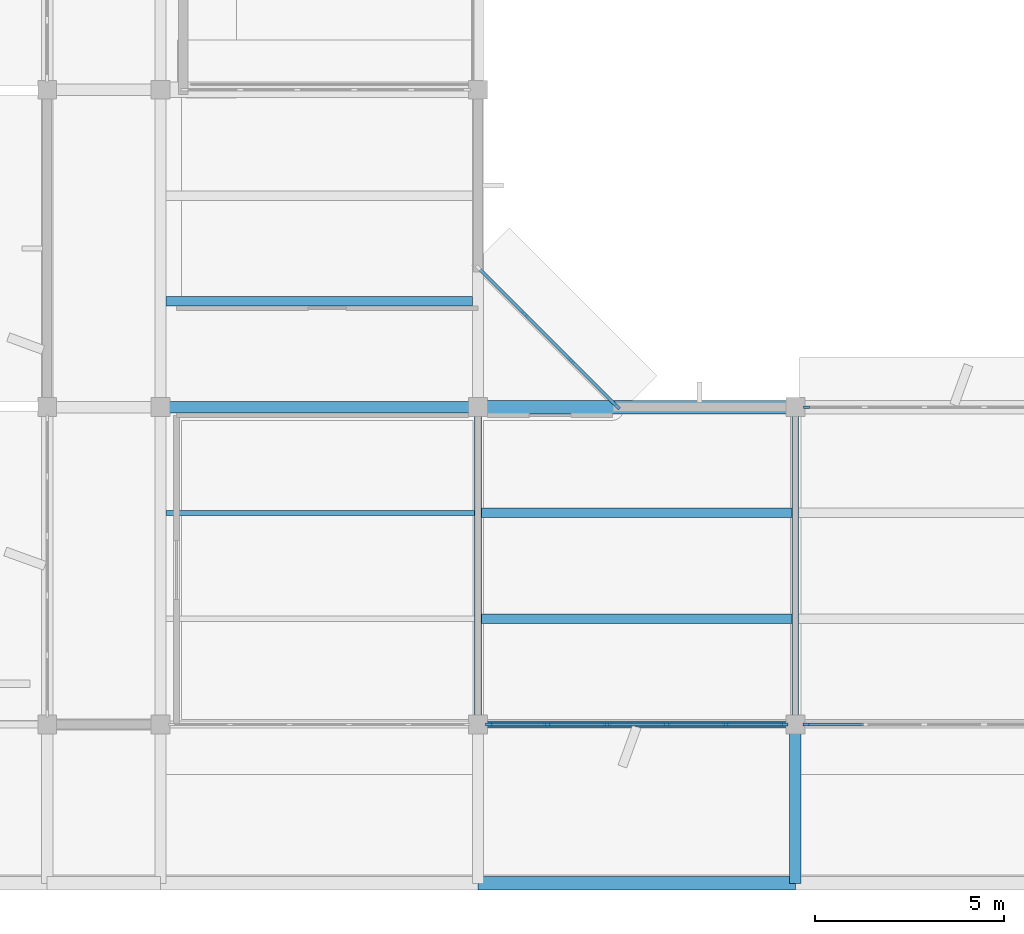
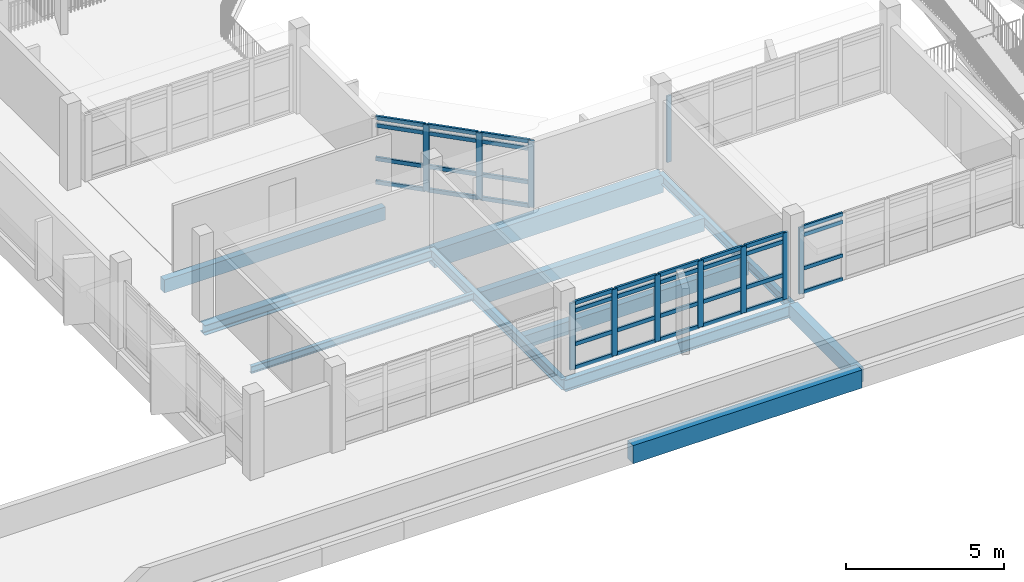
# One storey, part 16 of 92: 47 members, 11 beams, 4 elements without a shape of their own.
"""IFC4 building model written with IfcOpenShell, lengths in metres."""

from ifc_helpers import new_model, si_unit, direction, frame, origin, origin_2d, place, context, subcontext, project, spatial, rectangle, i_section, extrude, material, material_profile, profile_set, type_object, element, aggregate, save


model = new_model("IFC4")

# Units and contexts
model_context = context("Model", 3, precision=1e-05, world=origin(), true_north=direction((0.0, 1.0)))
body_context = subcontext(model_context, "Body", "Model", "MODEL_VIEW")
ifc_project = project(units=[si_unit("LENGTHUNIT", "METRE"), si_unit("AREAUNIT", "SQUARE_METRE"), si_unit("VOLUMEUNIT", "CUBIC_METRE"), si_unit("PLANEANGLEUNIT", "RADIAN"), si_unit("MASSUNIT", "GRAM", prefix="KILO")], contexts=[model_context])

# Site, building, storey
site_placement = place(None, origin())
site = spatial("IfcSite", under=ifc_project, at=site_placement, CompositionType="ELEMENT")
building_placement = place(site_placement, origin())
building = spatial("IfcBuilding", under=site, at=building_placement, Name="Vanh Quang Courtyard School", CompositionType="ELEMENT")
storey_placement = place(building_placement, frame((0.0, 0.0, 7.800048828125)))
storey = spatial("IfcBuildingStorey", under=building, at=storey_placement, Name="L02", CompositionType="ELEMENT", Elevation=7.800048828125)

# Beams
ifc_material_1 = material(Name="Concrete C35/45", Category="concrete")
ifc_material_profile_1 = material_profile(ifc_material_1, rectangle(XDim=0.300048828125, YDim=0.550048828125, at=origin_2d()), Name="RC-BM 300x550")
ifc_profile_set_1 = profile_set([ifc_material_profile_1], Name="Concrete C35/45")
beam_type_1 = type_object("IfcBeamType", Name="BM-RC-300x550", PredefinedType="BEAM", material=ifc_profile_set_1)
beam_1_placement = place(storey_placement, frame((94.199951171875, 0.0, -0.554931640625), z_axis=(0.0, 1.0, 0.0), x_axis=(-1.0, 0.0, 0.0)))
element("IfcBeam", 1, at=beam_1_placement, inside=storey, type_object=beam_type_1, Name="Beam B-07 (L02)", PredefinedType="BEAM", context=body_context, shape_type="SweptSolid", body=[
    extrude(rectangle(XDim=0.300048828125, YDim=0.550048828125, at=origin_2d()), origin(), (0.0, 0.0, 1.0), 4.199951171875),
])
ifc_material_profile_2 = material_profile(ifc_material_1, rectangle(XDim=0.35009765625, YDim=0.699951171875, at=origin_2d()), Name="RC-BM 350x700")
ifc_profile_set_2 = profile_set([ifc_material_profile_2], Name="Concrete C35/45")
beam_type_2 = type_object("IfcBeamType", Name="BM-RC-350x700", PredefinedType="BEAM", material=ifc_profile_set_2)
for number, where, z_axis, x_axis, name in (
    (2, (85.800048828125, 0.0, -0.570068359375), (1.0, 0.0, 0.0), (0.0, 1.0, 0.0), "Beam B-04 (L02)"),
    (3, (85.800048828125, 12.60009765625, -0.630126953125), (1.0, 0.0, 0.0), (0.0, 1.0, 0.0), "Beam B-04 (L02)"),
):
    element("IfcBeam", number, at=place(storey_placement, frame(where, z_axis=z_axis, x_axis=x_axis)), inside=storey, type_object=beam_type_2, Name=name, PredefinedType="BEAM", context=body_context, shape_type="SweptSolid", body=[
        extrude(rectangle(XDim=0.35009765625, YDim=0.699951171875, at=origin_2d()), origin(), (0.0, 0.0, 1.0), 8.39990234375),
    ])
ifc_material_2 = material(Name="Structural steel EN 10025-2 S355J2", Category="steel")
ifc_material_profile_3 = material_profile(ifc_material_2, i_section(OverallWidth=0.300048828125, OverallDepth=0.389892578125, WebThickness=0.010986328125, FlangeThickness=0.01904296875, FilletRadius=0.027099609375, at=origin_2d()), Name="HEA 400")
ifc_profile_set_3 = profile_set([ifc_material_profile_3], Name="Structural steel EN 10025-2 S355J2")
beam_type_3 = type_object("IfcBeamType", Name="BM-STL-HEA400", PredefinedType="BEAM", material=ifc_profile_set_3)
beam_2_placement = place(storey_placement, frame((77.39990234375, 12.60009765625, -0.47509765625), z_axis=(1.0, 0.0, 0.0), x_axis=(0.0, 1.0, 0.0)))
element("IfcBeam", 4, at=beam_2_placement, inside=storey, type_object=beam_type_3, Name="Beam SB-08 (L02)", PredefinedType="BEAM", context=body_context, shape_type="SweptSolid", body=[
    extrude(i_section(OverallWidth=0.300048828125, OverallDepth=0.389892578125, WebThickness=0.010986328125, FlangeThickness=0.01904296875, FilletRadius=0.027099609375, at=origin_2d()), origin(), (0.0, 0.0, 1.0), 8.400146484375),
])
ifc_material_profile_4 = material_profile(ifc_material_2, i_section(OverallWidth=0.169921875, OverallDepth=0.360107421875, WebThickness=0.008056640625, FlangeThickness=0.0126953125, FilletRadius=0.01806640625, at=origin_2d()), Name="IPE 360")
ifc_profile_set_4 = profile_set([ifc_material_profile_4], Name="Structural steel EN 10025-2 S355J2")
beam_type_4 = type_object("IfcBeamType", Name="BM-STL-IPE360", PredefinedType="BEAM", material=ifc_profile_set_4)
beam_3_placement = place(storey_placement, frame((94.199951171875, 4.199951171875, -0.4599609375), z_axis=(0.0, 1.0, 0.0), x_axis=(-1.0, 0.0, 0.0)))
element("IfcBeam", 5, at=beam_3_placement, inside=storey, type_object=beam_type_4, Name="Beam SB-06 (L02)", PredefinedType="BEAM", context=body_context, shape_type="SweptSolid", body=[
    extrude(i_section(OverallWidth=0.169921875, OverallDepth=0.360107421875, WebThickness=0.008056640625, FlangeThickness=0.0126953125, FilletRadius=0.01806640625, at=origin_2d()), origin(), (0.0, 0.0, 1.0), 8.400146484375),
])
ifc_material_profile_5 = material_profile(ifc_material_2, i_section(OverallWidth=0.179931640625, OverallDepth=0.39990234375, WebThickness=0.008544921875, FlangeThickness=0.013427734375, FilletRadius=0.02099609375, at=origin_2d()), Name="IPE 400")
ifc_profile_set_5 = profile_set([ifc_material_profile_5], Name="Structural steel EN 10025-2 S355J2")
beam_type_5 = type_object("IfcBeamType", Name="BM-STL-IPE400", PredefinedType="BEAM", material=ifc_profile_set_5)
beam_4_placement = place(storey_placement, frame((85.800048828125, 4.199951171875, -0.47998046875), z_axis=(0.0, 1.0, 0.0), x_axis=(-1.0, 0.0, 0.0)))
element("IfcBeam", 6, at=beam_4_placement, inside=storey, type_object=beam_type_5, Name="Beam SB-05 (L02)", PredefinedType="BEAM", context=body_context, shape_type="SweptSolid", body=[
    extrude(i_section(OverallWidth=0.179931640625, OverallDepth=0.39990234375, WebThickness=0.008544921875, FlangeThickness=0.013427734375, FilletRadius=0.02099609375, at=origin_2d()), origin(), (0.0, 0.0, 1.0), 8.400146484375),
])
ifc_material_profile_6 = material_profile(ifc_material_2, i_section(OverallWidth=0.18994140625, OverallDepth=0.449951171875, WebThickness=0.009521484375, FlangeThickness=0.0146484375, FilletRadius=0.02099609375, at=origin_2d()), Name="IPE 450")
ifc_profile_set_6 = profile_set([ifc_material_profile_6], Name="Structural steel EN 10025-2 S355J2")
beam_type_6 = type_object("IfcBeamType", Name="BM-STL-IPE450", PredefinedType="BEAM", material=ifc_profile_set_6)
beam_5_placement = place(storey_placement, frame((85.800048828125, 4.199951171875, -0.505126953125), z_axis=(1.0, 0.0, 0.0), x_axis=(0.0, 1.0, 0.0)))
element("IfcBeam", 7, at=beam_5_placement, inside=storey, type_object=beam_type_6, Name="Beam SB-04 (L02)", PredefinedType="BEAM", context=body_context, shape_type="SweptSolid", body=[
    extrude(i_section(OverallWidth=0.18994140625, OverallDepth=0.449951171875, WebThickness=0.009521484375, FlangeThickness=0.0146484375, FilletRadius=0.02099609375, at=origin_2d()), origin(), (0.0, 0.0, 1.0), 8.39990234375),
])

# Curtain wall, member
ifc_material_3 = material(Name="Thermally broken aluminium unitised curtain wall", Category="aluminium")
curtain_wall_type_1 = type_object("IfcCurtainWallType", Name="CW-SYS-19", PredefinedType="NOTDEFINED", material=ifc_material_3)
curtain_wall_1_placement = place(storey_placement, origin())
curtain_wall_1 = element("IfcCurtainWall", 8, at=curtain_wall_1_placement, inside=storey, type_object=curtain_wall_type_1, Name="Curtain Wall CW-19 (L02)", PredefinedType="NOTDEFINED")
ifc_material_4 = material(Name="Anodised aluminium 6063-T6", Category="aluminium")
ifc_material_profile_7 = material_profile(ifc_material_4, rectangle(XDim=0.06005859375, YDim=0.159912109375, at=origin_2d()), Name="ALU-MUL 60x160")
ifc_profile_set_7 = profile_set([ifc_material_profile_7], Name="Anodised aluminium 6063-T6")
member_type_1 = type_object("IfcMemberType", Name="CW-MUL-60x160", PredefinedType="MULLION", material=ifc_profile_set_7)
member_1_placement = place(storey_placement, frame((94.488037109375, 12.60009765625, 0.0), z_axis=(0.0, 0.0, 1.0), x_axis=(0.0, 1.0, 0.0)))
member_1 = element("IfcMember", 9, at=member_1_placement, type_object=member_type_1, Name="CW-19 mullion 1", PredefinedType="MULLION", context=body_context, shape_type="SweptSolid", body=[
    extrude(rectangle(XDim=0.06005859375, YDim=0.159912109375, at=origin_2d()), origin(), (0.0, 0.0, 1.0), 2.579833984375),
])
aggregate(curtain_wall_1, [member_1])

curtain_wall_2_placement = place(storey_placement, origin())
curtain_wall_2 = element("IfcCurtainWall", 10, at=curtain_wall_2_placement, inside=storey, type_object=curtain_wall_type_1, Name="Curtain Wall CW-19 (L02)", PredefinedType="NOTDEFINED")
ifc_material_profile_8 = material_profile(ifc_material_4, rectangle(XDim=0.070068359375, YDim=0.179931640625, at=origin_2d()), Name="ALU-MUL 70x180")
ifc_profile_set_8 = profile_set([ifc_material_profile_8], Name="Anodised aluminium 6063-T6")
member_type_2 = type_object("IfcMemberType", Name="CW-MUL-70x180", PredefinedType="MULLION", material=ifc_profile_set_8)
member_2_placement = place(storey_placement, frame((94.492919921875, 4.199951171875, 0.0), z_axis=(0.0, 0.0, 1.0), x_axis=(0.0, -1.0, 0.0)))
member_2 = element("IfcMember", 11, at=member_2_placement, type_object=member_type_2, Name="CW-19 mullion 6", PredefinedType="MULLION", context=body_context, shape_type="SweptSolid", body=[
    extrude(rectangle(XDim=0.070068359375, YDim=0.179931640625, at=origin_2d()), origin(), (0.0, 0.0, 1.0), 2.579833984375),
])

# Curtain wall, members
curtain_wall_type_2 = type_object("IfcCurtainWallType", Name="CW-SYS-37", PredefinedType="NOTDEFINED", material=ifc_material_3)
curtain_wall_3_placement = place(storey_placement, origin())
curtain_wall_3 = element("IfcCurtainWall", 12, at=curtain_wall_3_placement, inside=storey, type_object=curtain_wall_type_2, Name="Curtain Wall CW-37 (L02)", PredefinedType="NOTDEFINED")
ifc_material_profile_9 = material_profile(ifc_material_4, rectangle(XDim=0.080078125, YDim=0.199951171875, at=origin_2d()), Name="ALU-MUL 80x200")
ifc_profile_set_9 = profile_set([ifc_material_profile_9], Name="Anodised aluminium 6063-T6")
member_type_3 = type_object("IfcMemberType", Name="CW-MUL-80x200", PredefinedType="MULLION", material=ifc_profile_set_9)
member_3_placement = place(storey_placement, frame((87.031982421875, 15.06396484375, 0.0), z_axis=(0.0, 0.0, 1.0), x_axis=(0.707106781187, 0.707106781187, 0.0)))
member_3 = element("IfcMember", 13, at=member_3_placement, type_object=member_type_3, Name="CW-37 mullion 2", PredefinedType="MULLION", context=body_context, shape_type="SweptSolid", body=[
    extrude(rectangle(XDim=0.080078125, YDim=0.199951171875, at=origin_2d()), origin(), (0.0, 0.0, 1.0), 2.579833984375),
])
member_4_placement = place(storey_placement, frame((88.263916015625, 13.83203125, 0.0), z_axis=(0.0, 0.0, 1.0), x_axis=(0.707106781187, 0.707106781187, 0.0)))
member_4 = element("IfcMember", 14, at=member_4_placement, type_object=member_type_3, Name="CW-37 mullion 3", PredefinedType="MULLION", context=body_context, shape_type="SweptSolid", body=[
    extrude(rectangle(XDim=0.080078125, YDim=0.199951171875, at=origin_2d()), origin(), (0.0, 0.0, 1.0), 2.579833984375),
])
member_5_placement = place(storey_placement, frame((89.4677734375, 12.628173828125, 0.0), z_axis=(0.0, 0.0, 1.0), x_axis=(0.707106781187, 0.707106781187, 0.0)))
member_5 = element("IfcMember", 15, at=member_5_placement, type_object=member_type_3, Name="CW-37 mullion 4", PredefinedType="MULLION", context=body_context, shape_type="SweptSolid", body=[
    extrude(rectangle(XDim=0.080078125, YDim=0.199951171875, at=origin_2d()), origin(), (0.0, 0.0, 1.0), 2.579833984375),
])

curtain_wall_4_placement = place(storey_placement, origin())
curtain_wall_4 = element("IfcCurtainWall", 16, at=curtain_wall_4_placement, inside=storey, type_object=curtain_wall_type_1, Name="Curtain Wall CW-19 (L02)", PredefinedType="NOTDEFINED")
member_6_placement = place(storey_placement, frame((93.902099609375, 4.199951171875, 0.0), z_axis=(0.0, 0.0, 1.0), x_axis=(0.0, -1.0, 0.0)))
member_6 = element("IfcMember", 17, at=member_6_placement, type_object=member_type_3, Name="CW-19 mullion 1", PredefinedType="MULLION", context=body_context, shape_type="SweptSolid", body=[
    extrude(rectangle(XDim=0.080078125, YDim=0.199951171875, at=origin_2d()), origin(), (0.0, 0.0, 1.0), 2.579833984375),
])
member_7_placement = place(storey_placement, frame((92.365234375, 4.199951171875, 0.0), z_axis=(0.0, 0.0, 1.0), x_axis=(0.0, -1.0, 0.0)))
member_7 = element("IfcMember", 18, at=member_7_placement, type_object=member_type_3, Name="CW-19 mullion 2", PredefinedType="MULLION", context=body_context, shape_type="SweptSolid", body=[
    extrude(rectangle(XDim=0.080078125, YDim=0.199951171875, at=origin_2d()), origin(), (0.0, 0.0, 1.0), 2.579833984375),
])
member_8_placement = place(storey_placement, frame((90.788330078125, 4.199951171875, 0.0), z_axis=(0.0, 0.0, 1.0), x_axis=(0.0, -1.0, 0.0)))
member_8 = element("IfcMember", 19, at=member_8_placement, type_object=member_type_3, Name="CW-19 mullion 3", PredefinedType="MULLION", context=body_context, shape_type="SweptSolid", body=[
    extrude(rectangle(XDim=0.080078125, YDim=0.199951171875, at=origin_2d()), origin(), (0.0, 0.0, 1.0), 2.579833984375),
])
member_9_placement = place(storey_placement, frame((89.211669921875, 4.199951171875, 0.0), z_axis=(0.0, 0.0, 1.0), x_axis=(0.0, -1.0, 0.0)))
member_9 = element("IfcMember", 20, at=member_9_placement, type_object=member_type_3, Name="CW-19 mullion 4", PredefinedType="MULLION", context=body_context, shape_type="SweptSolid", body=[
    extrude(rectangle(XDim=0.080078125, YDim=0.199951171875, at=origin_2d()), origin(), (0.0, 0.0, 1.0), 2.579833984375),
])
member_10_placement = place(storey_placement, frame((87.634765625, 4.199951171875, 0.0), z_axis=(0.0, 0.0, 1.0), x_axis=(0.0, -1.0, 0.0)))
member_10 = element("IfcMember", 21, at=member_10_placement, type_object=member_type_3, Name="CW-19 mullion 5", PredefinedType="MULLION", context=body_context, shape_type="SweptSolid", body=[
    extrude(rectangle(XDim=0.080078125, YDim=0.199951171875, at=origin_2d()), origin(), (0.0, 0.0, 1.0), 2.579833984375),
])
member_11_placement = place(storey_placement, frame((86.097900390625, 4.199951171875, 0.0), z_axis=(0.0, 0.0, 1.0), x_axis=(0.0, -1.0, 0.0)))
member_11 = element("IfcMember", 22, at=member_11_placement, type_object=member_type_3, Name="CW-19 mullion 6", PredefinedType="MULLION", context=body_context, shape_type="SweptSolid", body=[
    extrude(rectangle(XDim=0.080078125, YDim=0.199951171875, at=origin_2d()), origin(), (0.0, 0.0, 1.0), 2.579833984375),
])

# Member
ifc_material_profile_10 = material_profile(ifc_material_4, rectangle(XDim=0.070068359375, YDim=0.139892578125, at=origin_2d()), Name="ALU-TRN 70x140")
ifc_profile_set_10 = profile_set([ifc_material_profile_10], Name="Anodised aluminium 6063-T6")
member_type_4 = type_object("IfcMemberType", Name="CW-TRN-70x140", PredefinedType="USERDEFINED", material=ifc_profile_set_10)
member_12_placement = place(storey_placement, frame((95.999755859375, 4.199951171875, 0.034912109375), z_axis=(-1.0, 0.0, 0.0), x_axis=(0.0, -1.0, 0.0)))
member_12 = element("IfcMember", 23, at=member_12_placement, type_object=member_type_4, Name="CW-19 transom 5.1", ObjectType="TRANSOM", PredefinedType="USERDEFINED", context=body_context, shape_type="SweptSolid", body=[
    extrude(rectangle(XDim=0.070068359375, YDim=0.139892578125, at=origin_2d()), origin(), (0.0, 0.0, 1.0), 1.4716796875),
])

member_13_placement = place(storey_placement, frame((95.999755859375, 4.199951171875, 0.949951171875), z_axis=(-1.0, 0.0, 0.0), x_axis=(0.0, -1.0, 0.0)))
member_13 = element("IfcMember", 24, at=member_13_placement, type_object=member_type_4, Name="CW-19 transom 5.2", ObjectType="TRANSOM", PredefinedType="USERDEFINED", context=body_context, shape_type="SweptSolid", body=[
    extrude(rectangle(XDim=0.070068359375, YDim=0.139892578125, at=origin_2d()), origin(), (0.0, 0.0, 1.0), 1.4716796875),
])

member_14_placement = place(storey_placement, frame((95.999755859375, 4.199951171875, 2.25), z_axis=(-1.0, 0.0, 0.0), x_axis=(0.0, -1.0, 0.0)))
member_14 = element("IfcMember", 25, at=member_14_placement, type_object=member_type_4, Name="CW-19 transom 5.3", ObjectType="TRANSOM", PredefinedType="USERDEFINED", context=body_context, shape_type="SweptSolid", body=[
    extrude(rectangle(XDim=0.070068359375, YDim=0.139892578125, at=origin_2d()), origin(), (0.0, 0.0, 1.0), 1.4716796875),
])

member_15_placement = place(storey_placement, frame((95.999755859375, 4.199951171875, 2.544921875), z_axis=(-1.0, 0.0, 0.0), x_axis=(0.0, -1.0, 0.0)))
member_15 = element("IfcMember", 26, at=member_15_placement, type_object=member_type_4, Name="CW-19 transom 5.4", ObjectType="TRANSOM", PredefinedType="USERDEFINED", context=body_context, shape_type="SweptSolid", body=[
    extrude(rectangle(XDim=0.070068359375, YDim=0.139892578125, at=origin_2d()), origin(), (0.0, 0.0, 1.0), 1.4716796875),
])

aggregate(curtain_wall_2, [member_2, member_12, member_13, member_14, member_15])

ifc_material_profile_11 = material_profile(ifc_material_4, rectangle(XDim=0.080078125, YDim=0.14990234375, at=origin_2d()), Name="ALU-TRN 80x150")
ifc_profile_set_11 = profile_set([ifc_material_profile_11], Name="Anodised aluminium 6063-T6")
member_type_5 = type_object("IfcMemberType", Name="CW-TRN-80x150", PredefinedType="USERDEFINED", material=ifc_profile_set_11)
member_16_placement = place(storey_placement, frame((85.856689453125, 16.239501953125, 0.0400390625), z_axis=(0.707031529042, -0.707182025323, 0.0), x_axis=(0.707182025323, 0.707031529042, 0.0)))
member_16 = element("IfcMember", 27, at=member_16_placement, type_object=member_type_5, Name="CW-37 transom 1.1", ObjectType="TRANSOM", PredefinedType="USERDEFINED", context=body_context, shape_type="SweptSolid", body=[
    extrude(rectangle(XDim=0.080078125, YDim=0.14990234375, at=origin_2d()), origin(), (0.0, 0.0, 1.0), 1.622314453125),
])

member_17_placement = place(storey_placement, frame((85.856689453125, 16.239501953125, 0.949951171875), z_axis=(0.707031529042, -0.707182025323, 0.0), x_axis=(0.707182025323, 0.707031529042, 0.0)))
member_17 = element("IfcMember", 28, at=member_17_placement, type_object=member_type_5, Name="CW-37 transom 1.2", ObjectType="TRANSOM", PredefinedType="USERDEFINED", context=body_context, shape_type="SweptSolid", body=[
    extrude(rectangle(XDim=0.080078125, YDim=0.14990234375, at=origin_2d()), origin(), (0.0, 0.0, 1.0), 1.622314453125),
])

member_18_placement = place(storey_placement, frame((85.856689453125, 16.239501953125, 2.25), z_axis=(0.707031529042, -0.707182025323, 0.0), x_axis=(0.707182025323, 0.707031529042, 0.0)))
member_18 = element("IfcMember", 29, at=member_18_placement, type_object=member_type_5, Name="CW-37 transom 1.3", ObjectType="TRANSOM", PredefinedType="USERDEFINED", context=body_context, shape_type="SweptSolid", body=[
    extrude(rectangle(XDim=0.080078125, YDim=0.14990234375, at=origin_2d()), origin(), (0.0, 0.0, 1.0), 1.622314453125),
])

member_19_placement = place(storey_placement, frame((85.856689453125, 16.239501953125, 2.5400390625), z_axis=(0.707031529042, -0.707182025323, 0.0), x_axis=(0.707182025323, 0.707031529042, 0.0)))
member_19 = element("IfcMember", 30, at=member_19_placement, type_object=member_type_5, Name="CW-37 transom 1.4", ObjectType="TRANSOM", PredefinedType="USERDEFINED", context=body_context, shape_type="SweptSolid", body=[
    extrude(rectangle(XDim=0.080078125, YDim=0.14990234375, at=origin_2d()), origin(), (0.0, 0.0, 1.0), 1.622314453125),
])

member_20_placement = place(storey_placement, frame((87.060302734375, 15.03564453125, 0.0400390625), z_axis=(0.707106781187, -0.707106781187, 0.0), x_axis=(0.707106781187, 0.707106781187, 0.0)))
member_20 = element("IfcMember", 31, at=member_20_placement, type_object=member_type_5, Name="CW-37 transom 2.1", ObjectType="TRANSOM", PredefinedType="USERDEFINED", context=body_context, shape_type="SweptSolid", body=[
    extrude(rectangle(XDim=0.080078125, YDim=0.14990234375, at=origin_2d()), origin(), (0.0, 0.0, 1.0), 1.662109375),
])

member_21_placement = place(storey_placement, frame((87.060302734375, 15.03564453125, 0.949951171875), z_axis=(0.707106781187, -0.707106781187, 0.0), x_axis=(0.707106781187, 0.707106781187, 0.0)))
member_21 = element("IfcMember", 32, at=member_21_placement, type_object=member_type_5, Name="CW-37 transom 2.2", ObjectType="TRANSOM", PredefinedType="USERDEFINED", context=body_context, shape_type="SweptSolid", body=[
    extrude(rectangle(XDim=0.080078125, YDim=0.14990234375, at=origin_2d()), origin(), (0.0, 0.0, 1.0), 1.662109375),
])

member_22_placement = place(storey_placement, frame((87.060302734375, 15.03564453125, 2.25), z_axis=(0.707106781187, -0.707106781187, 0.0), x_axis=(0.707106781187, 0.707106781187, 0.0)))
member_22 = element("IfcMember", 33, at=member_22_placement, type_object=member_type_5, Name="CW-37 transom 2.3", ObjectType="TRANSOM", PredefinedType="USERDEFINED", context=body_context, shape_type="SweptSolid", body=[
    extrude(rectangle(XDim=0.080078125, YDim=0.14990234375, at=origin_2d()), origin(), (0.0, 0.0, 1.0), 1.662109375),
])

member_23_placement = place(storey_placement, frame((87.060302734375, 15.03564453125, 2.5400390625), z_axis=(0.707106781187, -0.707106781187, 0.0), x_axis=(0.707106781187, 0.707106781187, 0.0)))
member_23 = element("IfcMember", 34, at=member_23_placement, type_object=member_type_5, Name="CW-37 transom 2.4", ObjectType="TRANSOM", PredefinedType="USERDEFINED", context=body_context, shape_type="SweptSolid", body=[
    extrude(rectangle(XDim=0.080078125, YDim=0.14990234375, at=origin_2d()), origin(), (0.0, 0.0, 1.0), 1.662109375),
])

member_24_placement = place(storey_placement, frame((88.292236328125, 13.8037109375, 0.0400390625), z_axis=(0.707106781187, -0.707106781187, 0.0), x_axis=(0.707106781187, 0.707106781187, 0.0)))
member_24 = element("IfcMember", 35, at=member_24_placement, type_object=member_type_5, Name="CW-37 transom 3.1", ObjectType="TRANSOM", PredefinedType="USERDEFINED", context=body_context, shape_type="SweptSolid", body=[
    extrude(rectangle(XDim=0.080078125, YDim=0.14990234375, at=origin_2d()), origin(), (0.0, 0.0, 1.0), 1.622314453125),
])

member_25_placement = place(storey_placement, frame((88.292236328125, 13.8037109375, 0.949951171875), z_axis=(0.707106781187, -0.707106781187, 0.0), x_axis=(0.707106781187, 0.707106781187, 0.0)))
member_25 = element("IfcMember", 36, at=member_25_placement, type_object=member_type_5, Name="CW-37 transom 3.2", ObjectType="TRANSOM", PredefinedType="USERDEFINED", context=body_context, shape_type="SweptSolid", body=[
    extrude(rectangle(XDim=0.080078125, YDim=0.14990234375, at=origin_2d()), origin(), (0.0, 0.0, 1.0), 1.622314453125),
])

member_26_placement = place(storey_placement, frame((88.292236328125, 13.8037109375, 2.25), z_axis=(0.707106781187, -0.707106781187, 0.0), x_axis=(0.707106781187, 0.707106781187, 0.0)))
member_26 = element("IfcMember", 37, at=member_26_placement, type_object=member_type_5, Name="CW-37 transom 3.3", ObjectType="TRANSOM", PredefinedType="USERDEFINED", context=body_context, shape_type="SweptSolid", body=[
    extrude(rectangle(XDim=0.080078125, YDim=0.14990234375, at=origin_2d()), origin(), (0.0, 0.0, 1.0), 1.622314453125),
])

member_27_placement = place(storey_placement, frame((88.292236328125, 13.8037109375, 2.5400390625), z_axis=(0.707106781187, -0.707106781187, 0.0), x_axis=(0.707106781187, 0.707106781187, 0.0)))
member_27 = element("IfcMember", 38, at=member_27_placement, type_object=member_type_5, Name="CW-37 transom 3.4", ObjectType="TRANSOM", PredefinedType="USERDEFINED", context=body_context, shape_type="SweptSolid", body=[
    extrude(rectangle(XDim=0.080078125, YDim=0.14990234375, at=origin_2d()), origin(), (0.0, 0.0, 1.0), 1.622314453125),
])

aggregate(curtain_wall_3, [member_3, member_4, member_5, member_16, member_17, member_18, member_19, member_20, member_21, member_22, member_23, member_24, member_25, member_26, member_27])

member_28_placement = place(storey_placement, frame((93.862060546875, 4.199951171875, 0.0400390625), z_axis=(-1.0, 0.0, 0.0), x_axis=(0.0, -1.0, 0.0)))
member_28 = element("IfcMember", 39, at=member_28_placement, type_object=member_type_5, Name="CW-19 transom 1.1", ObjectType="TRANSOM", PredefinedType="USERDEFINED", context=body_context, shape_type="SweptSolid", body=[
    extrude(rectangle(XDim=0.080078125, YDim=0.14990234375, at=origin_2d()), origin(), (0.0, 0.0, 1.0), 1.456787109375),
])

member_29_placement = place(storey_placement, frame((93.862060546875, 4.199951171875, 0.949951171875), z_axis=(-1.0, 0.0, 0.0), x_axis=(0.0, -1.0, 0.0)))
member_29 = element("IfcMember", 40, at=member_29_placement, type_object=member_type_5, Name="CW-19 transom 1.2", ObjectType="TRANSOM", PredefinedType="USERDEFINED", context=body_context, shape_type="SweptSolid", body=[
    extrude(rectangle(XDim=0.080078125, YDim=0.14990234375, at=origin_2d()), origin(), (0.0, 0.0, 1.0), 1.456787109375),
])

member_30_placement = place(storey_placement, frame((93.862060546875, 4.199951171875, 2.25), z_axis=(-1.0, 0.0, 0.0), x_axis=(0.0, -1.0, 0.0)))
member_30 = element("IfcMember", 41, at=member_30_placement, type_object=member_type_5, Name="CW-19 transom 1.3", ObjectType="TRANSOM", PredefinedType="USERDEFINED", context=body_context, shape_type="SweptSolid", body=[
    extrude(rectangle(XDim=0.080078125, YDim=0.14990234375, at=origin_2d()), origin(), (0.0, 0.0, 1.0), 1.456787109375),
])

member_31_placement = place(storey_placement, frame((93.862060546875, 4.199951171875, 2.5400390625), z_axis=(-1.0, 0.0, 0.0), x_axis=(0.0, -1.0, 0.0)))
member_31 = element("IfcMember", 42, at=member_31_placement, type_object=member_type_5, Name="CW-19 transom 1.4", ObjectType="TRANSOM", PredefinedType="USERDEFINED", context=body_context, shape_type="SweptSolid", body=[
    extrude(rectangle(XDim=0.080078125, YDim=0.14990234375, at=origin_2d()), origin(), (0.0, 0.0, 1.0), 1.456787109375),
])

member_32_placement = place(storey_placement, frame((92.3251953125, 4.199951171875, 0.0400390625), z_axis=(-1.0, 0.0, 0.0), x_axis=(0.0, -1.0, 0.0)))
member_32 = element("IfcMember", 43, at=member_32_placement, type_object=member_type_5, Name="CW-19 transom 2.1", ObjectType="TRANSOM", PredefinedType="USERDEFINED", context=body_context, shape_type="SweptSolid", body=[
    extrude(rectangle(XDim=0.080078125, YDim=0.14990234375, at=origin_2d()), origin(), (0.0, 0.0, 1.0), 1.496826171875),
])

member_33_placement = place(storey_placement, frame((92.3251953125, 4.199951171875, 0.949951171875), z_axis=(-1.0, 0.0, 0.0), x_axis=(0.0, -1.0, 0.0)))
member_33 = element("IfcMember", 44, at=member_33_placement, type_object=member_type_5, Name="CW-19 transom 2.2", ObjectType="TRANSOM", PredefinedType="USERDEFINED", context=body_context, shape_type="SweptSolid", body=[
    extrude(rectangle(XDim=0.080078125, YDim=0.14990234375, at=origin_2d()), origin(), (0.0, 0.0, 1.0), 1.496826171875),
])

member_34_placement = place(storey_placement, frame((92.3251953125, 4.199951171875, 2.25), z_axis=(-1.0, 0.0, 0.0), x_axis=(0.0, -1.0, 0.0)))
member_34 = element("IfcMember", 45, at=member_34_placement, type_object=member_type_5, Name="CW-19 transom 2.3", ObjectType="TRANSOM", PredefinedType="USERDEFINED", context=body_context, shape_type="SweptSolid", body=[
    extrude(rectangle(XDim=0.080078125, YDim=0.14990234375, at=origin_2d()), origin(), (0.0, 0.0, 1.0), 1.496826171875),
])

member_35_placement = place(storey_placement, frame((92.3251953125, 4.199951171875, 2.5400390625), z_axis=(-1.0, 0.0, 0.0), x_axis=(0.0, -1.0, 0.0)))
member_35 = element("IfcMember", 46, at=member_35_placement, type_object=member_type_5, Name="CW-19 transom 2.4", ObjectType="TRANSOM", PredefinedType="USERDEFINED", context=body_context, shape_type="SweptSolid", body=[
    extrude(rectangle(XDim=0.080078125, YDim=0.14990234375, at=origin_2d()), origin(), (0.0, 0.0, 1.0), 1.496826171875),
])

member_36_placement = place(storey_placement, frame((90.748291015625, 4.199951171875, 0.0400390625), z_axis=(-1.0, 0.0, 0.0), x_axis=(0.0, -1.0, 0.0)))
member_36 = element("IfcMember", 47, at=member_36_placement, type_object=member_type_5, Name="CW-19 transom 3.1", ObjectType="TRANSOM", PredefinedType="USERDEFINED", context=body_context, shape_type="SweptSolid", body=[
    extrude(rectangle(XDim=0.080078125, YDim=0.14990234375, at=origin_2d()), origin(), (0.0, 0.0, 1.0), 1.49658203125),
])

member_37_placement = place(storey_placement, frame((90.748291015625, 4.199951171875, 0.949951171875), z_axis=(-1.0, 0.0, 0.0), x_axis=(0.0, -1.0, 0.0)))
member_37 = element("IfcMember", 48, at=member_37_placement, type_object=member_type_5, Name="CW-19 transom 3.2", ObjectType="TRANSOM", PredefinedType="USERDEFINED", context=body_context, shape_type="SweptSolid", body=[
    extrude(rectangle(XDim=0.080078125, YDim=0.14990234375, at=origin_2d()), origin(), (0.0, 0.0, 1.0), 1.49658203125),
])

member_38_placement = place(storey_placement, frame((90.748291015625, 4.199951171875, 2.25), z_axis=(-1.0, 0.0, 0.0), x_axis=(0.0, -1.0, 0.0)))
member_38 = element("IfcMember", 49, at=member_38_placement, type_object=member_type_5, Name="CW-19 transom 3.3", ObjectType="TRANSOM", PredefinedType="USERDEFINED", context=body_context, shape_type="SweptSolid", body=[
    extrude(rectangle(XDim=0.080078125, YDim=0.14990234375, at=origin_2d()), origin(), (0.0, 0.0, 1.0), 1.49658203125),
])

member_39_placement = place(storey_placement, frame((90.748291015625, 4.199951171875, 2.5400390625), z_axis=(-1.0, 0.0, 0.0), x_axis=(0.0, -1.0, 0.0)))
member_39 = element("IfcMember", 50, at=member_39_placement, type_object=member_type_5, Name="CW-19 transom 3.4", ObjectType="TRANSOM", PredefinedType="USERDEFINED", context=body_context, shape_type="SweptSolid", body=[
    extrude(rectangle(XDim=0.080078125, YDim=0.14990234375, at=origin_2d()), origin(), (0.0, 0.0, 1.0), 1.49658203125),
])

member_40_placement = place(storey_placement, frame((89.171630859375, 4.199951171875, 0.0400390625), z_axis=(-1.0, 0.0, 0.0), x_axis=(0.0, -1.0, 0.0)))
member_40 = element("IfcMember", 51, at=member_40_placement, type_object=member_type_5, Name="CW-19 transom 4.1", ObjectType="TRANSOM", PredefinedType="USERDEFINED", context=body_context, shape_type="SweptSolid", body=[
    extrude(rectangle(XDim=0.080078125, YDim=0.14990234375, at=origin_2d()), origin(), (0.0, 0.0, 1.0), 1.496826171875),
])

member_41_placement = place(storey_placement, frame((89.171630859375, 4.199951171875, 0.949951171875), z_axis=(-1.0, 0.0, 0.0), x_axis=(0.0, -1.0, 0.0)))
member_41 = element("IfcMember", 52, at=member_41_placement, type_object=member_type_5, Name="CW-19 transom 4.2", ObjectType="TRANSOM", PredefinedType="USERDEFINED", context=body_context, shape_type="SweptSolid", body=[
    extrude(rectangle(XDim=0.080078125, YDim=0.14990234375, at=origin_2d()), origin(), (0.0, 0.0, 1.0), 1.496826171875),
])

member_42_placement = place(storey_placement, frame((89.171630859375, 4.199951171875, 2.25), z_axis=(-1.0, 0.0, 0.0), x_axis=(0.0, -1.0, 0.0)))
member_42 = element("IfcMember", 53, at=member_42_placement, type_object=member_type_5, Name="CW-19 transom 4.3", ObjectType="TRANSOM", PredefinedType="USERDEFINED", context=body_context, shape_type="SweptSolid", body=[
    extrude(rectangle(XDim=0.080078125, YDim=0.14990234375, at=origin_2d()), origin(), (0.0, 0.0, 1.0), 1.496826171875),
])

member_43_placement = place(storey_placement, frame((89.171630859375, 4.199951171875, 2.5400390625), z_axis=(-1.0, 0.0, 0.0), x_axis=(0.0, -1.0, 0.0)))
member_43 = element("IfcMember", 54, at=member_43_placement, type_object=member_type_5, Name="CW-19 transom 4.4", ObjectType="TRANSOM", PredefinedType="USERDEFINED", context=body_context, shape_type="SweptSolid", body=[
    extrude(rectangle(XDim=0.080078125, YDim=0.14990234375, at=origin_2d()), origin(), (0.0, 0.0, 1.0), 1.496826171875),
])

member_44_placement = place(storey_placement, frame((87.5947265625, 4.199951171875, 0.0400390625), z_axis=(-1.0, 0.0, 0.0), x_axis=(0.0, -1.0, 0.0)))
member_44 = element("IfcMember", 55, at=member_44_placement, type_object=member_type_5, Name="CW-19 transom 5.1", ObjectType="TRANSOM", PredefinedType="USERDEFINED", context=body_context, shape_type="SweptSolid", body=[
    extrude(rectangle(XDim=0.080078125, YDim=0.14990234375, at=origin_2d()), origin(), (0.0, 0.0, 1.0), 1.456787109375),
])

member_45_placement = place(storey_placement, frame((87.5947265625, 4.199951171875, 0.949951171875), z_axis=(-1.0, 0.0, 0.0), x_axis=(0.0, -1.0, 0.0)))
member_45 = element("IfcMember", 56, at=member_45_placement, type_object=member_type_5, Name="CW-19 transom 5.2", ObjectType="TRANSOM", PredefinedType="USERDEFINED", context=body_context, shape_type="SweptSolid", body=[
    extrude(rectangle(XDim=0.080078125, YDim=0.14990234375, at=origin_2d()), origin(), (0.0, 0.0, 1.0), 1.456787109375),
])

member_46_placement = place(storey_placement, frame((87.5947265625, 4.199951171875, 2.25), z_axis=(-1.0, 0.0, 0.0), x_axis=(0.0, -1.0, 0.0)))
member_46 = element("IfcMember", 57, at=member_46_placement, type_object=member_type_5, Name="CW-19 transom 5.3", ObjectType="TRANSOM", PredefinedType="USERDEFINED", context=body_context, shape_type="SweptSolid", body=[
    extrude(rectangle(XDim=0.080078125, YDim=0.14990234375, at=origin_2d()), origin(), (0.0, 0.0, 1.0), 1.456787109375),
])

member_47_placement = place(storey_placement, frame((87.5947265625, 4.199951171875, 2.5400390625), z_axis=(-1.0, 0.0, 0.0), x_axis=(0.0, -1.0, 0.0)))
member_47 = element("IfcMember", 58, at=member_47_placement, type_object=member_type_5, Name="CW-19 transom 5.4", ObjectType="TRANSOM", PredefinedType="USERDEFINED", context=body_context, shape_type="SweptSolid", body=[
    extrude(rectangle(XDim=0.080078125, YDim=0.14990234375, at=origin_2d()), origin(), (0.0, 0.0, 1.0), 1.456787109375),
])

aggregate(curtain_wall_4, [member_6, member_7, member_8, member_9, member_10, member_11, member_28, member_29, member_30, member_31, member_32, member_33, member_34, member_35, member_36, member_37, member_38, member_39, member_40, member_41, member_42, member_43, member_44, member_45, member_46, member_47])

# Beams
ifc_material_5 = material(Name="Concrete C30/37", Category="concrete")
ifc_material_profile_12 = material_profile(ifc_material_5, rectangle(XDim=0.25, YDim=0.5, at=origin_2d()), Name="RC-JST 250x500")
ifc_profile_set_12 = profile_set([ifc_material_profile_12], Name="Concrete C30/37")
beam_type_7 = type_object("IfcBeamType", Name="JST-RC-250x500", PredefinedType="JOIST", material=ifc_profile_set_12)
beam_6_placement = place(storey_placement, frame((77.550048828125, 15.39990234375, -0.530029296875), z_axis=(1.0, 0.0, 0.0), x_axis=(0.0, 1.0, 0.0)))
element("IfcBeam", 59, at=beam_6_placement, inside=storey, type_object=beam_type_7, Name="Beam BJ-01 (L02)", PredefinedType="JOIST", context=body_context, shape_type="SweptSolid", body=[
    extrude(rectangle(XDim=0.25, YDim=0.5, at=origin_2d()), origin(), (0.0, 0.0, 1.0), 8.099853515625),
])
for number, where, z_axis, x_axis, name in (
    (60, (85.889892578125, 7.0, -0.530029296875), (1.0, 0.0, 0.0), (0.0, 1.0, 0.0), "Beam BJ-01 (L02)"),
    (61, (85.889892578125, 9.800048828125, -0.530029296875), (1.0, 0.0, 0.0), (0.0, 1.0, 0.0), "Beam BJ-01 (L02)"),
):
    element("IfcBeam", number, at=place(storey_placement, frame(where, z_axis=z_axis, x_axis=x_axis)), inside=storey, type_object=beam_type_7, Name=name, PredefinedType="JOIST", context=body_context, shape_type="SweptSolid", body=[
        extrude(rectangle(XDim=0.25, YDim=0.5, at=origin_2d()), origin(), (0.0, 0.0, 1.0), 8.22509765625),
    ])
ifc_material_profile_13 = material_profile(ifc_material_2, i_section(OverallWidth=0.135009765625, OverallDepth=0.27001953125, WebThickness=0.006591796875, FlangeThickness=0.01025390625, FilletRadius=0.014892578125, at=origin_2d()), Name="IPE 270")
ifc_profile_set_13 = profile_set([ifc_material_profile_13], Name="Structural steel EN 10025-2 S355J2")
beam_type_8 = type_object("IfcBeamType", Name="JST-STL-IPE270", PredefinedType="JOIST", material=ifc_profile_set_13)
beam_7_placement = place(storey_placement, frame((77.550048828125, 9.800048828125, -0.4150390625), z_axis=(1.0, 0.0, 0.0), x_axis=(0.0, 1.0, 0.0)))
element("IfcBeam", 62, at=beam_7_placement, inside=storey, type_object=beam_type_8, Name="Beam SJ-03 (L02)", PredefinedType="JOIST", context=body_context, shape_type="SweptSolid", body=[
    extrude(i_section(OverallWidth=0.135009765625, OverallDepth=0.27001953125, WebThickness=0.006591796875, FlangeThickness=0.01025390625, FilletRadius=0.014892578125, at=origin_2d()), origin(), (0.0, 0.0, 1.0), 8.159912109375),
])

save(model, "model.ifc")
